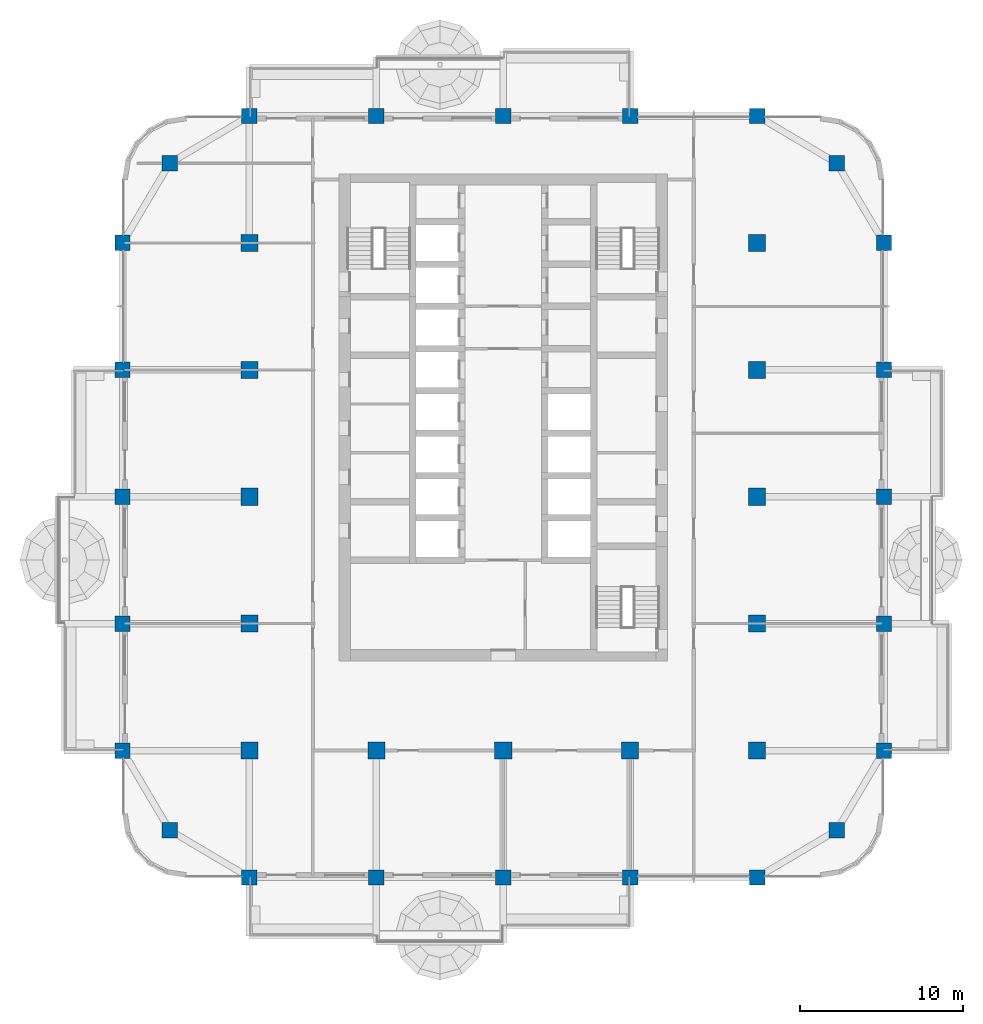
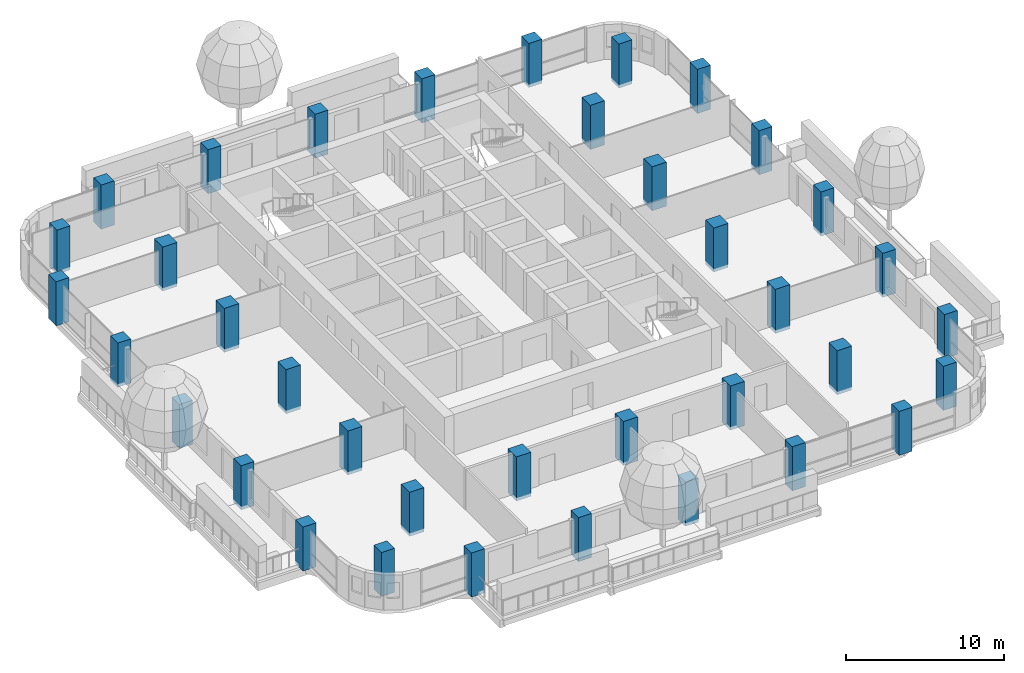
# One storey, part 1 of 21: 37 columns.
"""IFC4 building model written with IfcOpenShell, lengths in metres."""

import ifcopenshell
import ifcopenshell.guid

model = None  # the IFC model being written
_history = None  # IfcOwnerHistory: only IFC2X3 demands one
_inside = {}  # id of a spatial element -> (the spatial element, [elements in it])
_under = {}  # id of a project, library or spatial element -> (it, [spatial elements below it])
_declared = {}  # id of a project -> (the project, [libraries it declares])
_typed = {}  # id of a type object -> (the type object, [elements of that type])
_made_of = {}  # id of a material, layer set ... -> (it, [elements and type objects made of it])


def new_model(schema):
    """Start an empty IFC model of exactly this schema.

    Asked for "IFC4X3", IfcOpenShell would pick the latest addendum, in which some entities
    have other attributes; the version numbers below select the first issue.
    IFC2X3 requires an IfcOwnerHistory on every rooted entity: one is made here for all.
    """
    global model, _history
    if schema == "IFC4X3":
        model = ifcopenshell.file(schema_version=(4, 3, 0, 0))
    else:
        model = ifcopenshell.file(schema=schema)
    _inside.clear()
    _under.clear()
    _declared.clear()
    _typed.clear()
    _made_of.clear()
    _history = None
    if model.schema == "IFC2X3":
        org = make("IfcOrganization", Name="unknown")
        user = make(
            "IfcPersonAndOrganization",
            ThePerson=make("IfcPerson", FamilyName="unknown"),
            TheOrganization=org,
        )
        app = make(
            "IfcApplication",
            ApplicationDeveloper=org,
            Version="unknown",
            ApplicationFullName="unknown",
            ApplicationIdentifier="unknown",
        )
        _history = make(
            "IfcOwnerHistory",
            OwningUser=user,
            OwningApplication=app,
            ChangeAction="ADDED",
            CreationDate=0,
        )
    return model


def make(cls, **values):
    """One entity of the class cls with the attributes given. An attribute that is None is left unset."""
    return model.create_entity(
        cls, **{name: value for name, value in values.items() if value is not None}
    )


def rooted(cls, **values):
    """An entity with a GlobalId (a new one), such as an element, a storey or a relation."""
    return make(cls, GlobalId=ifcopenshell.guid.new(), OwnerHistory=_history, **values)


def si_unit(unit_type, name, prefix=None):
    """IfcSIUnit, for example si_unit("LENGTHUNIT", "METRE", prefix="MILLI")."""
    return make("IfcSIUnit", UnitType=unit_type, Prefix=prefix, Name=name)


def assignment(units):
    """IfcUnitAssignment: the units of a project."""
    return None if units is None else make("IfcUnitAssignment", Units=units)


def point(xyz):
    """IfcCartesianPoint."""
    return None if xyz is None else make("IfcCartesianPoint", Coordinates=xyz)


def direction(xyz):
    """IfcDirection."""
    return None if xyz is None else make("IfcDirection", DirectionRatios=xyz)


def frame(location, z_axis=None, x_axis=None):
    """IfcAxis2Placement3D, a coordinate frame: its origin and axes. An axis left out is left unset."""
    return make(
        "IfcAxis2Placement3D",
        Location=point(location),
        Axis=direction(z_axis),
        RefDirection=direction(x_axis),
    )


def frame_2d(location, x_axis=None):
    """IfcAxis2Placement2D, a coordinate frame in the plane: its origin and x axis."""
    return make(
        "IfcAxis2Placement2D", Location=point(location), RefDirection=direction(x_axis)
    )


def origin():
    """The frame at (0, 0, 0) with its axes left unset."""
    return frame((0.0, 0.0, 0.0))


def origin_2d():
    """The frame at (0, 0) in the plane with its x axis left unset."""
    return frame_2d((0.0, 0.0))


def place(relative_to, where):
    """IfcLocalPlacement: puts the frame where relative to a parent placement (None: the world)."""
    return make(
        "IfcLocalPlacement", PlacementRelTo=relative_to, RelativePlacement=where
    )


def context(
    kind, dimensions, precision=None, world=None, true_north=None, identifier=None
):
    """IfcGeometricRepresentationContext, for example the 3D "Model" context."""
    return make(
        "IfcGeometricRepresentationContext",
        ContextIdentifier=identifier,
        ContextType=kind,
        CoordinateSpaceDimension=dimensions,
        Precision=precision,
        WorldCoordinateSystem=world,
        TrueNorth=true_north,
    )


def subcontext(parent, identifier, kind, view, scale=None):
    """IfcGeometricRepresentationSubContext, for example "Body" below "Model"."""
    return make(
        "IfcGeometricRepresentationSubContext",
        ContextIdentifier=identifier,
        ContextType=kind,
        ParentContext=parent,
        TargetScale=scale,
        TargetView=view,
    )


def project(units=None, contexts=None):
    """IfcProject with its units and contexts."""
    return rooted(
        "IfcProject",
        Name="project",
        RepresentationContexts=contexts,
        UnitsInContext=assignment(units),
    )


def spatial(cls, under=None, at=None, **own):
    """A site, building, storey or space (cls), placed at a placement, below another one or the project."""
    s = rooted(cls, ObjectPlacement=at, **own)
    if under is not None:
        _under.setdefault(under.id(), (under, []))[1].append(s)
    return s


def profile(cls, at=None, kind="AREA", **sizes):
    """A parametric profile (cls). Its sizes go by their IFC names, for example OverallWidth=200.0."""
    return make(cls, ProfileType=kind, Position=at, **sizes)


def rectangle(**sizes):
    """IfcRectangleProfileDef."""
    return profile("IfcRectangleProfileDef", **sizes)


def extrude(swept, where, along, depth):
    """IfcExtrudedAreaSolid: the profile swept, set in the frame where, extruded along a direction by depth."""
    return make(
        "IfcExtrudedAreaSolid",
        SweptArea=swept,
        Position=where,
        ExtrudedDirection=direction(along),
        Depth=depth,
    )


def shape(context_of_items, identifier, shape_type, items):
    """IfcShapeRepresentation: the items that make up one representation, for example the "Body"."""
    return make(
        "IfcShapeRepresentation",
        ContextOfItems=context_of_items,
        RepresentationIdentifier=identifier,
        RepresentationType=shape_type,
        Items=items,
    )


def material(Name=None, Category=None):
    """IfcMaterial."""
    return make("IfcMaterial", Name=Name, Category=Category)


def material_profile(
    of_material, cross_section, Name=None, Category=None, Priority=None
):
    """IfcMaterialProfile: a cross section and its material."""
    return make(
        "IfcMaterialProfile",
        Name=Name,
        Material=of_material,
        Profile=cross_section,
        Priority=Priority,
        Category=Category,
    )


def profile_set(profiles, Name=None, composite=None):
    """IfcMaterialProfileSet."""
    return make(
        "IfcMaterialProfileSet",
        Name=Name,
        MaterialProfiles=profiles,
        CompositeProfile=composite,
    )


def made_of(thing, what):
    """Note that an element or type object is made of a material, layer set ...; save() writes the relation."""
    if what is not None:
        _made_of.setdefault(what.id(), (what, []))[1].append(thing)
    return thing


def type_object(cls, material=None, **own):
    """A type object (cls), such as IfcWallType, which elements share."""
    return made_of(rooted(cls, **own), material)


def element(
    cls,
    number,
    at=None,
    inside=None,
    cuts=None,
    type_object=None,
    material=None,
    context=None,
    identifier="Body",
    shape_type=None,
    held_by="IfcProductDefinitionShape",
    body=None,
    shapes=None,
    **own,
):
    """One element of the class cls, such as IfcWall. Its Tag is "e" and its number.

    at: its placement. inside: the storey or other place that contains it. cuts: it is an
    opening in that element (IfcRelVoidsElement). A single representation is given by context,
    identifier, shape_type and body (its items); several are given by shapes. held_by: the class
    of the entity that holds the representations. save() writes the other relations.
    """
    e = rooted(cls, Tag="e%d" % number, ObjectPlacement=at, **own)
    if body is not None:
        shapes = [shape(context, identifier, shape_type, body)]
    if shapes is not None:
        e.Representation = make(held_by, Representations=shapes)
    if inside is not None:
        _inside.setdefault(inside.id(), (inside, []))[1].append(e)
    if cuts is not None:
        rooted(
            "IfcRelVoidsElement", RelatingBuildingElement=cuts, RelatedOpeningElement=e
        )
    if type_object is not None:
        _typed.setdefault(type_object.id(), (type_object, []))[1].append(e)
    return made_of(e, material)


def aggregate(whole, parts):
    """IfcRelAggregates: a whole, such as a stair, and the parts it consists of."""
    return rooted("IfcRelAggregates", RelatingObject=whole, RelatedObjects=parts)


def save(model, path):
    """Write the relations noted so far, then the file.

    IfcRelAggregates (storeys below a building ...), IfcRelContainedInSpatialStructure (elements
    in a storey), IfcRelDefinesByType, IfcRelAssociatesMaterial and IfcRelDeclares: one each for
    every whole, place, type object, material and project.
    """
    for whole, parts in _under.values():
        aggregate(whole, parts)
    for where, things in _inside.values():
        rooted(
            "IfcRelContainedInSpatialStructure",
            RelatedElements=things,
            RelatingStructure=where,
        )
    for kind, things in _typed.values():
        rooted("IfcRelDefinesByType", RelatedObjects=things, RelatingType=kind)
    for what, things in _made_of.values():
        rooted("IfcRelAssociatesMaterial", RelatedObjects=things, RelatingMaterial=what)
    for by, libraries in _declared.values():
        rooted("IfcRelDeclares", RelatingContext=by, RelatedDefinitions=libraries)
    model.write(path)


model = new_model("IFC4")

# Units and contexts
model_context = context("Model", 3, precision=1e-05, world=origin(), true_north=direction((0.0, 1.0)))
body_context = subcontext(model_context, "Body", "Model", "MODEL_VIEW")
ifc_project = project(units=[si_unit("LENGTHUNIT", "METRE"), si_unit("AREAUNIT", "SQUARE_METRE"), si_unit("VOLUMEUNIT", "CUBIC_METRE"), si_unit("PLANEANGLEUNIT", "RADIAN"), si_unit("MASSUNIT", "GRAM", prefix="KILO")], contexts=[model_context])

# Site, building, storey
site_placement = place(None, origin())
site = spatial("IfcSite", under=ifc_project, at=site_placement, CompositionType="ELEMENT")
building_placement = place(site_placement, origin())
building = spatial("IfcBuilding", under=site, at=building_placement, Name="Ludao Terraces", CompositionType="ELEMENT")
storey_placement = place(building_placement, frame((0.0, 0.0, 71.60009765625)))
storey = spatial("IfcBuildingStorey", under=building, at=storey_placement, Name="L19", CompositionType="ELEMENT", Elevation=71.60009765625)

# Columns
ifc_material = material(Name="Concrete C55", Category="concrete")
ifc_material_profile_1 = material_profile(ifc_material, rectangle(XDim=1.050048828125, YDim=1.050048828125, at=origin_2d()), Name="1050 X 1050")
ifc_profile_set_1 = profile_set([ifc_material_profile_1], Name="Concrete C55")
column_type_1 = type_object("IfcColumnType", Name="RC column 1050x1050 C55", PredefinedType="COLUMN", material=ifc_profile_set_1)
for number, where, z_axis, x_axis, name in (
    (1, (69.39990234375, 49.39990234375, -0.25), (0.0, 0.0, 1.0), (1.0, 0.0, 0.0), "Column L19 S0078x0078"),
    (2, (69.39990234375, 57.199951171875, -0.25), (0.0, 0.0, 1.0), (1.0, 0.0, 0.0), "Column L19 S0078x0156"),
    (3, (69.39990234375, 65.0, -0.25), (0.0, 0.0, 1.0), (1.0, 0.0, 0.0), "Column L19 S0078x0234"),
    (4, (69.39990234375, 72.800048828125, -0.25), (0.0, 0.0, 1.0), (1.0, 0.0, 0.0), "Column L19 S0078x0312"),
    (5, (69.39990234375, 80.60009765625, -0.25), (0.0, 0.0, 1.0), (1.0, 0.0, 0.0), "Column L19 S0078x0390"),
    (6, (77.199951171875, 49.39990234375, -0.25), (0.0, 0.0, 1.0), (1.0, 0.0, 0.0), "Column L19 S0156x0078"),
    (7, (85.0, 49.39990234375, -0.25), (0.0, 0.0, 1.0), (1.0, 0.0, 0.0), "Column L19 S0234x0078"),
    (8, (92.800048828125, 49.39990234375, -0.25), (0.0, 0.0, 1.0), (1.0, 0.0, 0.0), "Column L19 S0312x0078"),
    (9, (100.60009765625, 49.39990234375, -0.25), (0.0, 0.0, 1.0), (1.0, 0.0, 0.0), "Column L19 S0390x0078"),
    (10, (100.60009765625, 57.199951171875, -0.25), (0.0, 0.0, 1.0), (1.0, 0.0, 0.0), "Column L19 S0390x0156"),
    (11, (100.60009765625, 65.0, -0.25), (0.0, 0.0, 1.0), (1.0, 0.0, 0.0), "Column L19 S0390x0234"),
    (12, (100.60009765625, 72.800048828125, -0.25), (0.0, 0.0, 1.0), (1.0, 0.0, 0.0), "Column L19 S0390x0312"),
    (13, (100.60009765625, 80.60009765625, -0.25), (0.0, 0.0, 1.0), (1.0, 0.0, 0.0), "Column L19 S0390x0390"),
):
    element("IfcColumn", number, at=place(storey_placement, frame(where, z_axis=z_axis, x_axis=x_axis)), inside=storey, type_object=column_type_1, Name=name, PredefinedType="COLUMN", context=body_context, shape_type="SweptSolid", body=[
        extrude(rectangle(XDim=1.050048828125, YDim=1.050048828125, at=origin_2d()), origin(), (0.0, 0.0, 1.0), 3.39990234375),
    ])
ifc_material_profile_2 = material_profile(ifc_material, rectangle(XDim=0.949951171875, YDim=0.949951171875, at=origin_2d()), Name="950 X 950")
ifc_profile_set_2 = profile_set([ifc_material_profile_2], Name="Concrete C55")
column_type_2 = type_object("IfcColumnType", Name="RC column 950x950 C55", PredefinedType="COLUMN", material=ifc_profile_set_2)
for number, where, z_axis, x_axis, name in (
    (14, (64.5, 44.5, -0.25), (0.0, 0.0, 1.0), (1.0, 0.0, 0.0), "Column L19 C0029x0029"),
    (15, (105.5, 44.5, -0.25), (0.0, 0.0, 1.0), (1.0, 0.0, 0.0), "Column L19 C0439x0029"),
    (16, (64.5, 85.5, -0.25), (0.0, 0.0, 1.0), (1.0, 0.0, 0.0), "Column L19 C0029x0439"),
    (17, (105.5, 85.5, -0.25), (0.0, 0.0, 1.0), (1.0, 0.0, 0.0), "Column L19 C0439x0439"),
    (18, (61.60009765625, 49.39990234375, -0.25), (0.0, 0.0, 1.0), (1.0, 0.0, 0.0), "Column L19 F0000x0078"),
    (19, (108.39990234375, 49.39990234375, -0.25), (0.0, 0.0, 1.0), (1.0, 0.0, 0.0), "Column L19 F0468x0078"),
    (20, (69.39990234375, 41.60009765625, -0.25), (0.0, 0.0, 1.0), (1.0, 0.0, 0.0), "Column L19 F0078x0000"),
    (21, (69.39990234375, 88.39990234375, -0.25), (0.0, 0.0, 1.0), (1.0, 0.0, 0.0), "Column L19 F0078x0468"),
    (22, (61.60009765625, 57.199951171875, -0.25), (0.0, 0.0, 1.0), (1.0, 0.0, 0.0), "Column L19 F0000x0156"),
    (23, (108.39990234375, 57.199951171875, -0.25), (0.0, 0.0, 1.0), (1.0, 0.0, 0.0), "Column L19 F0468x0156"),
    (24, (77.199951171875, 41.60009765625, -0.25), (0.0, 0.0, 1.0), (1.0, 0.0, 0.0), "Column L19 F0156x0000"),
    (25, (77.199951171875, 88.39990234375, -0.25), (0.0, 0.0, 1.0), (1.0, 0.0, 0.0), "Column L19 F0156x0468"),
    (26, (61.60009765625, 65.0, -0.25), (0.0, 0.0, 1.0), (1.0, 0.0, 0.0), "Column L19 F0000x0234"),
    (27, (108.39990234375, 65.0, -0.25), (0.0, 0.0, 1.0), (1.0, 0.0, 0.0), "Column L19 F0468x0234"),
    (28, (85.0, 41.60009765625, -0.25), (0.0, 0.0, 1.0), (1.0, 0.0, 0.0), "Column L19 F0234x0000"),
    (29, (85.0, 88.39990234375, -0.25), (0.0, 0.0, 1.0), (1.0, 0.0, 0.0), "Column L19 F0234x0468"),
    (30, (61.60009765625, 72.800048828125, -0.25), (0.0, 0.0, 1.0), (1.0, 0.0, 0.0), "Column L19 F0000x0312"),
    (31, (108.39990234375, 72.800048828125, -0.25), (0.0, 0.0, 1.0), (1.0, 0.0, 0.0), "Column L19 F0468x0312"),
    (32, (92.800048828125, 41.60009765625, -0.25), (0.0, 0.0, 1.0), (1.0, 0.0, 0.0), "Column L19 F0312x0000"),
    (33, (92.800048828125, 88.39990234375, -0.25), (0.0, 0.0, 1.0), (1.0, 0.0, 0.0), "Column L19 F0312x0468"),
    (34, (61.60009765625, 80.60009765625, -0.25), (0.0, 0.0, 1.0), (1.0, 0.0, 0.0), "Column L19 F0000x0390"),
    (35, (108.39990234375, 80.60009765625, -0.25), (0.0, 0.0, 1.0), (1.0, 0.0, 0.0), "Column L19 F0468x0390"),
    (36, (100.60009765625, 41.60009765625, -0.25), (0.0, 0.0, 1.0), (1.0, 0.0, 0.0), "Column L19 F0390x0000"),
    (37, (100.60009765625, 88.39990234375, -0.25), (0.0, 0.0, 1.0), (1.0, 0.0, 0.0), "Column L19 F0390x0468"),
):
    element("IfcColumn", number, at=place(storey_placement, frame(where, z_axis=z_axis, x_axis=x_axis)), inside=storey, type_object=column_type_2, Name=name, PredefinedType="COLUMN", context=body_context, shape_type="SweptSolid", body=[
        extrude(rectangle(XDim=0.949951171875, YDim=0.949951171875, at=origin_2d()), origin(), (0.0, 0.0, 1.0), 3.39990234375),
    ])

save(model, "model.ifc")
